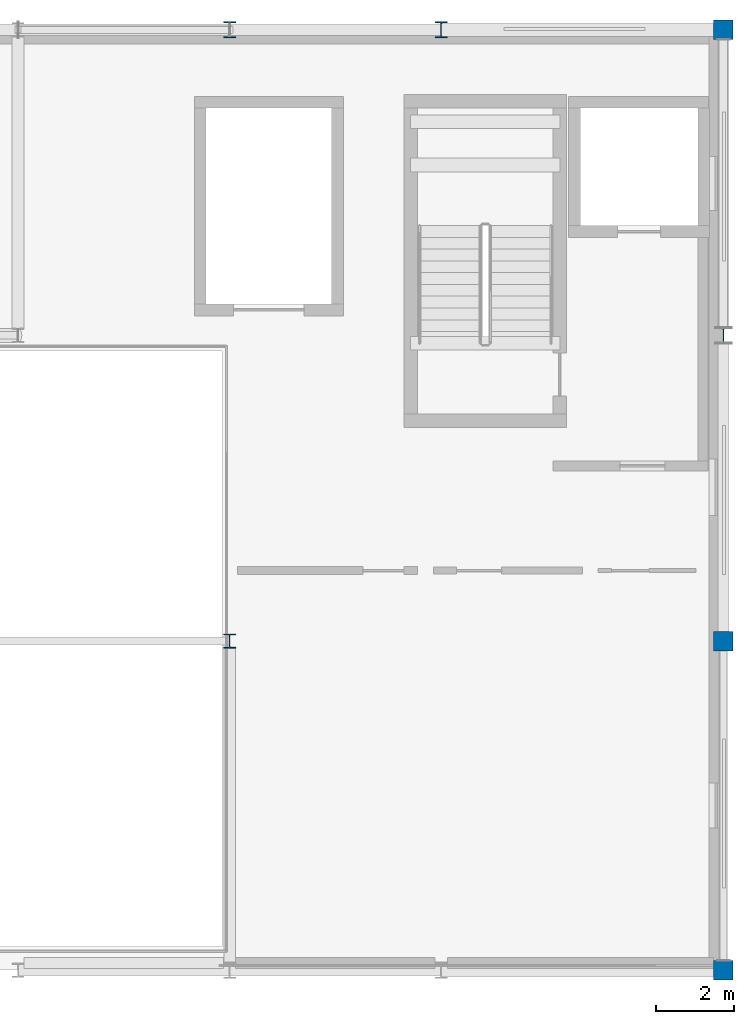
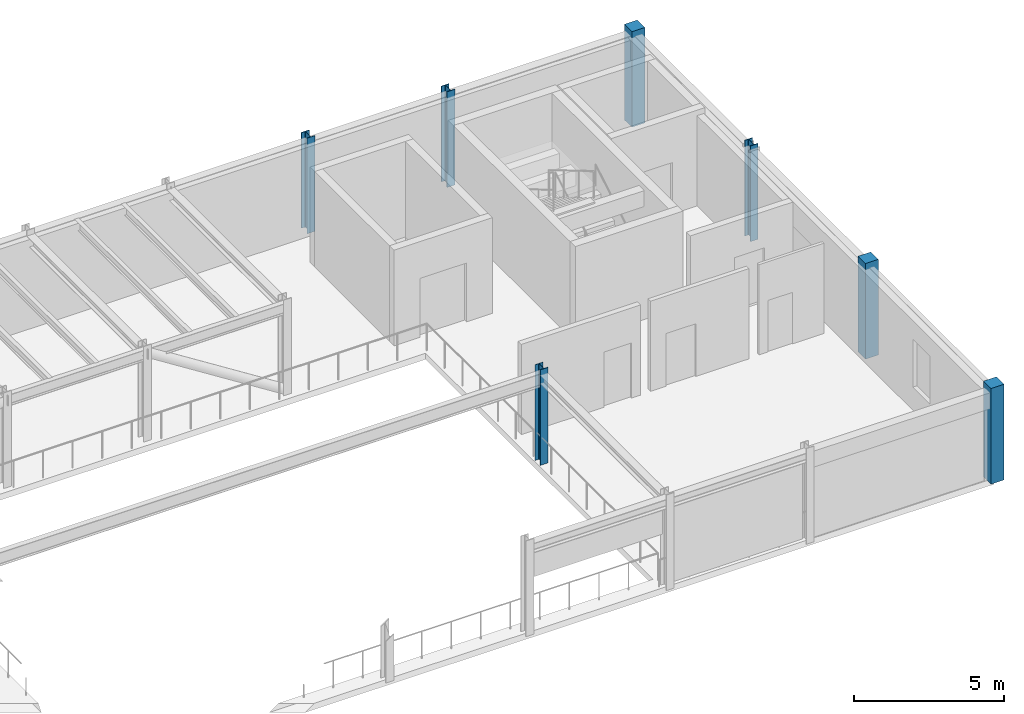
# One storey, part 2 of 12: 7 columns.
"""IFC4 building model written with IfcOpenShell, lengths in metres."""

from ifc_helpers import new_model, si_unit, direction, frame, origin, origin_2d, place, context, subcontext, project, spatial, rectangle, i_section, extrude, material, material_profile, profile_set, type_object, element, save


model = new_model("IFC4")

# Units and contexts
model_context = context("Model", 3, precision=1e-05, world=origin(), true_north=direction((0.0, 1.0)))
body_context = subcontext(model_context, "Body", "Model", "MODEL_VIEW")
ifc_project = project(units=[si_unit("LENGTHUNIT", "METRE"), si_unit("AREAUNIT", "SQUARE_METRE"), si_unit("VOLUMEUNIT", "CUBIC_METRE"), si_unit("PLANEANGLEUNIT", "RADIAN"), si_unit("MASSUNIT", "GRAM", prefix="KILO")], contexts=[model_context])

# Site, building, storey
site_placement = place(None, origin())
site = spatial("IfcSite", under=ifc_project, at=site_placement, CompositionType="ELEMENT")
building_placement = place(site_placement, origin())
building = spatial("IfcBuilding", under=site, at=building_placement, Name="Tazoul Stagehouse", CompositionType="ELEMENT")
storey_placement = place(building_placement, frame((0.0, 0.0, 17.10009765625)))
storey = spatial("IfcBuildingStorey", under=building, at=storey_placement, Name="L04", CompositionType="ELEMENT", Elevation=17.10009765625)

# Columns
ifc_material_1 = material(Name="Concrete C40/50", Category="concrete")
ifc_material_profile_1 = material_profile(ifc_material_1, rectangle(XDim=0.5, YDim=0.5, at=origin_2d()), Name="RC 500x500")
ifc_profile_set_1 = profile_set([ifc_material_profile_1], Name="Concrete C40/50")
column_type_1 = type_object("IfcColumnType", Name="RC Column 500x500 (Exterior)", PredefinedType="COLUMN", material=ifc_profile_set_1)
for number, where, z_axis, x_axis, name in (
    (1, (102.60009765625, 87.800048828125, 0.0), (0.0, 0.0, 1.0), (1.0, 0.0, 0.0), "L04 Column C-02E at 16/N"),
    (2, (102.60009765625, 96.199951171875, 0.0), (0.0, 0.0, 1.0), (1.0, 0.0, 0.0), "L04 Column C-02E at 16/P"),
    (3, (102.60009765625, 111.800048828125, 0.0), (0.0, 0.0, 1.0), (1.0, 0.0, 0.0), "L04 Column C-02E at 16/R"),
):
    element("IfcColumn", number, at=place(storey_placement, frame(where, z_axis=z_axis, x_axis=x_axis)), inside=storey, type_object=column_type_1, Name=name, PredefinedType="COLUMN", context=body_context, shape_type="SweptSolid", body=[
        extrude(rectangle(XDim=0.5, YDim=0.5, at=origin_2d()), origin(), (0.0, 0.0, 1.0), 3.89990234375),
    ])
ifc_material_2 = material(Name="Steel S355", Category="steel")
ifc_material_profile_2 = material_profile(ifc_material_2, i_section(OverallWidth=0.300048828125, OverallDepth=0.360107421875, WebThickness=0.012451171875, FlangeThickness=0.0224609375, FilletRadius=0.027099609375, at=origin_2d()), Name="HEB 360")
ifc_profile_set_2 = profile_set([ifc_material_profile_2], Name="Steel S355")
column_type_2 = type_object("IfcColumnType", Name="Steel Column HEB 360", PredefinedType="COLUMN", material=ifc_profile_set_2)
column_placement = place(storey_placement, frame((90.0, 96.199951171875, 0.0), z_axis=(0.0, 0.0, 1.0), x_axis=(1.0, 0.0, 0.0)))
element("IfcColumn", 4, at=column_placement, inside=storey, type_object=column_type_2, Name="L04 Column SC-03 at 14/P", PredefinedType="COLUMN", context=body_context, shape_type="SweptSolid", body=[
    extrude(i_section(OverallWidth=0.300048828125, OverallDepth=0.360107421875, WebThickness=0.012451171875, FlangeThickness=0.0224609375, FilletRadius=0.027099609375, at=origin_2d()), origin(), (0.0, 0.0, 1.0), 3.89990234375),
])
ifc_material_profile_3 = material_profile(ifc_material_2, i_section(OverallWidth=0.300048828125, OverallDepth=0.39990234375, WebThickness=0.013427734375, FlangeThickness=0.02392578125, FilletRadius=0.027099609375, at=origin_2d()), Name="HEB 400")
ifc_profile_set_3 = profile_set([ifc_material_profile_3], Name="Steel S355")
column_type_3 = type_object("IfcColumnType", Name="Steel Column HEB 400 (Exterior)", PredefinedType="COLUMN", material=ifc_profile_set_3)
for number, where, z_axis, x_axis, name in (
    (5, (90.0, 111.800048828125, 0.0), (0.0, 0.0, 1.0), (1.0, 0.0, 0.0), "L04 Column SC-04E at 14/R"),
    (6, (95.39990234375, 111.800048828125, 0.0), (0.0, 0.0, 1.0), (1.0, 0.0, 0.0), "L04 Column SC-04E at 15/R"),
    (7, (102.60009765625, 104.0, 0.0), (0.0, 0.0, 1.0), (1.0, 0.0, 0.0), "L04 Column SC-04E at 16/Q"),
):
    element("IfcColumn", number, at=place(storey_placement, frame(where, z_axis=z_axis, x_axis=x_axis)), inside=storey, type_object=column_type_3, Name=name, PredefinedType="COLUMN", context=body_context, shape_type="SweptSolid", body=[
        extrude(i_section(OverallWidth=0.300048828125, OverallDepth=0.39990234375, WebThickness=0.013427734375, FlangeThickness=0.02392578125, FilletRadius=0.027099609375, at=origin_2d()), origin(), (0.0, 0.0, 1.0), 3.89990234375),
    ])

save(model, "model.ifc")
